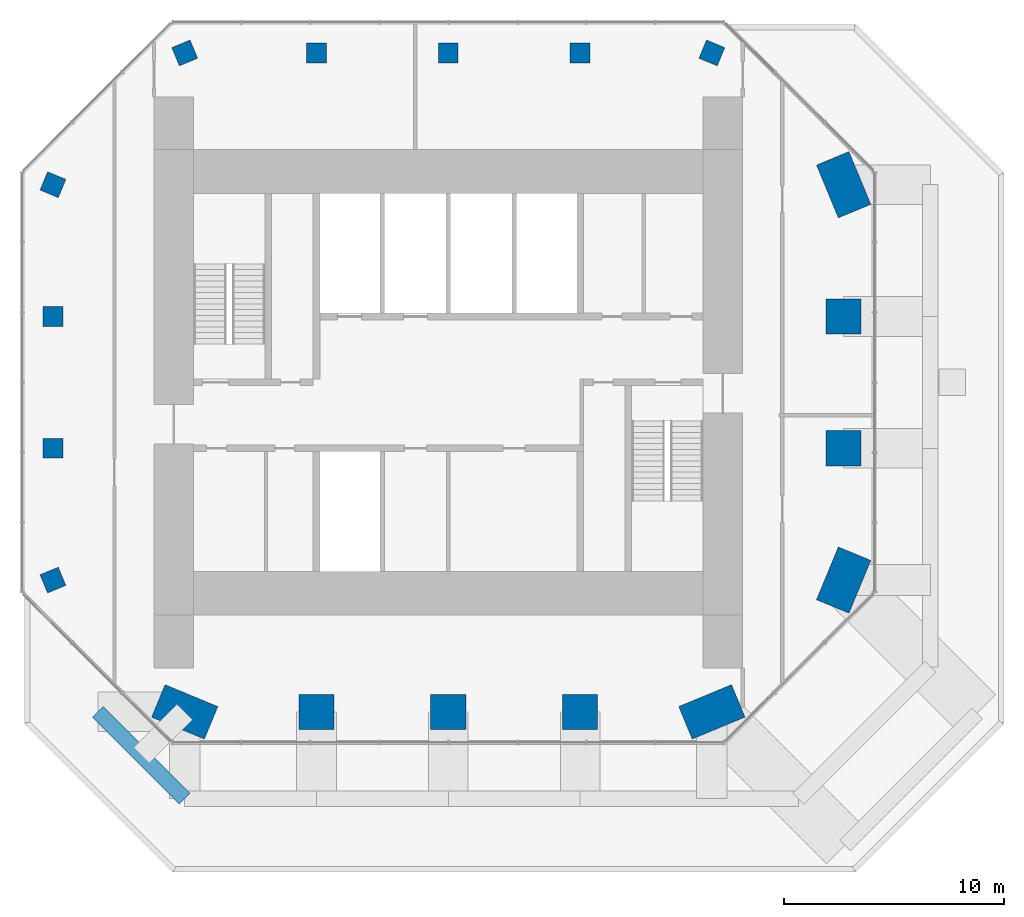
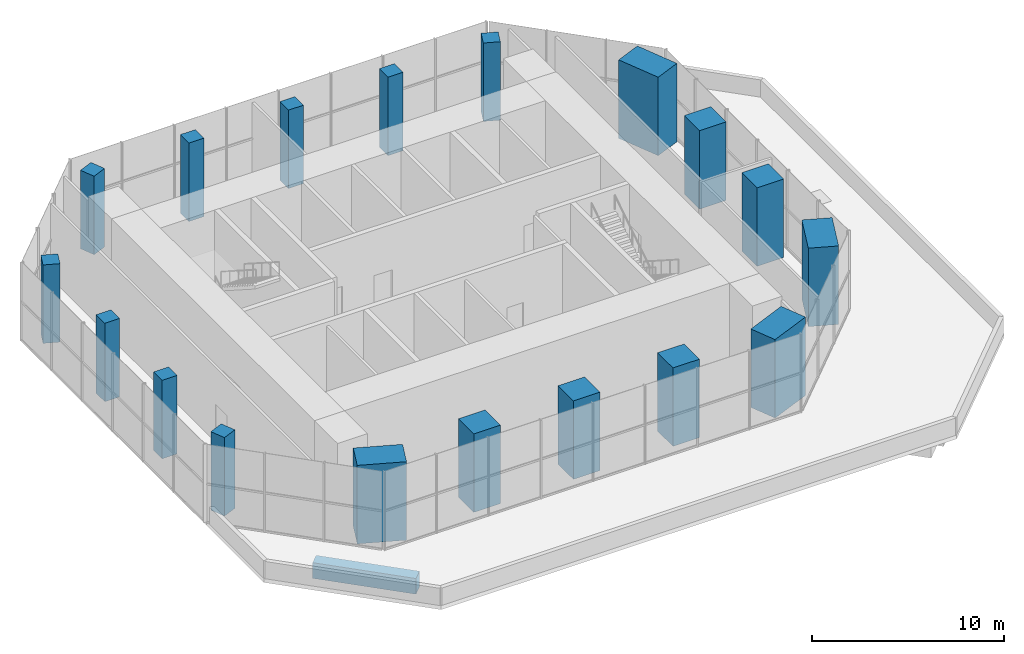
# One storey, part 1 of 9: 18 columns, 1 beam.
"""IFC4 building model written with IfcOpenShell, lengths in metres."""

from ifc_helpers import new_model, si_unit, direction, frame, origin, origin_2d, place, context, subcontext, project, spatial, rectangle, extrude, material, material_profile, profile_set, type_object, element, save


model = new_model("IFC4")

# Units and contexts
model_context = context("Model", 3, precision=1e-05, world=origin(), true_north=direction((0.0, 1.0)))
body_context = subcontext(model_context, "Body", "Model", "MODEL_VIEW")
ifc_project = project(units=[si_unit("LENGTHUNIT", "METRE"), si_unit("AREAUNIT", "SQUARE_METRE"), si_unit("VOLUMEUNIT", "CUBIC_METRE"), si_unit("PLANEANGLEUNIT", "RADIAN"), si_unit("MASSUNIT", "GRAM", prefix="KILO")], contexts=[model_context])

# Site, building, storey
site_placement = place(None, origin())
site = spatial("IfcSite", under=ifc_project, at=site_placement, CompositionType="ELEMENT")
building_placement = place(site_placement, origin())
building = spatial("IfcBuilding", under=site, at=building_placement, Name="Highveld Stack Headquarters", CompositionType="ELEMENT")
storey_placement = place(building_placement, frame((0.0, 0.0, 295.699951171875)))
storey = spatial("IfcBuildingStorey", under=building, at=storey_placement, Name="L73", CompositionType="ELEMENT", Elevation=295.699951171875)

# Columns
ifc_material_1 = material(Name="Concrete C60/75", Category="concrete")
ifc_material_profile_1 = material_profile(ifc_material_1, rectangle(XDim=1.60009765625, YDim=1.60009765625, at=origin_2d()), Name="RC 1600x1600")
ifc_profile_set_1 = profile_set([ifc_material_profile_1], Name="Concrete C60/75")
column_type_1 = type_object("IfcColumnType", Name="COLUMN RC 1600x1600 C60/75", PredefinedType="COLUMN", material=ifc_profile_set_1)
for number, where, z_axis, x_axis, name in (
    (1, (0.0, -12.0, 0.0), (0.0, 0.0, 1.0), (1.0, 0.0, 0.0), "Column 6/C L73"),
    (2, (6.0, -12.0, 0.0), (0.0, 0.0, 1.0), (1.0, 0.0, 0.0), "Column 7/C L73"),
    (3, (12.0, -12.0, 0.0), (0.0, 0.0, 1.0), (1.0, 0.0, 0.0), "Column 8/C L73"),
    (4, (24.0, 0.0, 0.0), (0.0, 0.0, 1.0), (1.0, 0.0, 0.0), "Column 10/E L73"),
    (5, (24.0, 6.0, 0.0), (0.0, 0.0, 1.0), (1.0, 0.0, 0.0), "Column 10/F L73"),
):
    element("IfcColumn", number, at=place(storey_placement, frame(where, z_axis=z_axis, x_axis=x_axis)), inside=storey, type_object=column_type_1, Name=name, PredefinedType="COLUMN", context=body_context, shape_type="SweptSolid", body=[
        extrude(rectangle(XDim=1.60009765625, YDim=1.60009765625, at=origin_2d()), origin(), (0.0, 0.0, 1.0), 5.0),
    ])
ifc_material_2 = material(Name="Concrete C60/75", Category="concrete")
ifc_material_profile_2 = material_profile(ifc_material_2, rectangle(XDim=2.60009765625, YDim=1.60009765625, at=origin_2d()), Name="RC 2600x1600")
ifc_profile_set_2 = profile_set([ifc_material_profile_2], Name="Concrete C60/75")
column_type_2 = type_object("IfcColumnType", Name="COLUMN RC 2600x1600 C60/75", PredefinedType="COLUMN", material=ifc_profile_set_2)
for number, where, z_axis, x_axis, name in (
    (6, (-6.0, -12.0, 0.0), (0.0, 0.0, 1.0), (-0.923879532511, 0.382683432365, 0.0), "Column 5/C L73"),
    (7, (18.0, -12.0, 0.0), (0.0, 0.0, 1.0), (-0.923879532511, -0.382683432365, 0.0), "Column 9/C L73"),
    (8, (24.0, -6.0, 0.0), (0.0, 0.0, 1.0), (-0.382683432365, -0.923879532511, 0.0), "Column 10/D L73"),
    (9, (24.0, 12.0, 0.0), (0.0, 0.0, 1.0), (0.382683432365, -0.923879532511, 0.0), "Column 10/G L73"),
):
    element("IfcColumn", number, at=place(storey_placement, frame(where, z_axis=z_axis, x_axis=x_axis)), inside=storey, type_object=column_type_2, Name=name, PredefinedType="COLUMN", context=body_context, shape_type="SweptSolid", body=[
        extrude(rectangle(XDim=2.60009765625, YDim=1.60009765625, at=origin_2d()), origin(), (0.0, 0.0, 1.0), 5.0),
    ])
ifc_material_3 = material(Name="Concrete C60/75", Category="concrete")
ifc_material_profile_3 = material_profile(ifc_material_3, rectangle(XDim=0.89990234375, YDim=0.89990234375, at=origin_2d()), Name="RC 900x900")
ifc_profile_set_3 = profile_set([ifc_material_profile_3], Name="Concrete C60/75")
column_type_3 = type_object("IfcColumnType", Name="COLUMN RC 900x900 C60/75", PredefinedType="COLUMN", material=ifc_profile_set_3)
for number, where, z_axis, x_axis, name in (
    (10, (-12.0, -6.0, 0.0), (0.0, 0.0, 1.0), (-0.382683432365, 0.923879532511, 0.0), "Column 4/D L73"),
    (11, (-12.0, 0.0, 0.0), (0.0, 0.0, 1.0), (0.0, 1.0, 0.0), "Column 4/E L73"),
    (12, (-12.0, 6.0, 0.0), (0.0, 0.0, 1.0), (0.0, 1.0, 0.0), "Column 4/F L73"),
    (13, (-12.0, 12.0, 0.0), (0.0, 0.0, 1.0), (0.382683432365, 0.923879532511, 0.0), "Column 4/G L73"),
    (14, (-6.0, 18.0, 0.0), (0.0, 0.0, 1.0), (0.923879532511, 0.382683432365, 0.0), "Column 5/H L73"),
    (15, (0.0, 18.0, 0.0), (0.0, 0.0, 1.0), (1.0, 0.0, 0.0), "Column 6/H L73"),
    (16, (6.0, 18.0, 0.0), (0.0, 0.0, 1.0), (1.0, 0.0, 0.0), "Column 7/H L73"),
    (17, (12.0, 18.0, 0.0), (0.0, 0.0, 1.0), (1.0, 0.0, 0.0), "Column 8/H L73"),
    (18, (18.0, 18.0, 0.0), (0.0, 0.0, 1.0), (0.923879532511, -0.382683432365, 0.0), "Column 9/H L73"),
):
    element("IfcColumn", number, at=place(storey_placement, frame(where, z_axis=z_axis, x_axis=x_axis)), inside=storey, type_object=column_type_3, Name=name, PredefinedType="COLUMN", context=body_context, shape_type="SweptSolid", body=[
        extrude(rectangle(XDim=0.89990234375, YDim=0.89990234375, at=origin_2d()), origin(), (0.0, 0.0, 1.0), 5.0),
    ])

# Beam
ifc_material_4 = material(Name="Concrete C60/75", Category="concrete")
ifc_material_profile_4 = material_profile(ifc_material_4, rectangle(XDim=0.699951171875, YDim=1.0, at=origin_2d()), Name="RC 700x1000")
ifc_profile_set_4 = profile_set([ifc_material_profile_4], Name="Concrete C60/75")
beam_type = type_object("IfcBeamType", Name="RIB TIP BEAM RC 700x1000", PredefinedType="SPANDREL", material=ifc_profile_set_4)
beam_placement = place(storey_placement, frame((-9.949951171875, -12.0, -0.75), z_axis=(0.707106781187, -0.707106781187, 0.0), x_axis=(0.707106781187, 0.707106781187, 0.0)))
element("IfcBeam", 19, at=beam_placement, inside=storey, type_object=beam_type, Name="Rib tip beam 5/C corner L73", PredefinedType="SPANDREL", context=body_context, shape_type="SweptSolid", body=[
    extrude(rectangle(XDim=0.699951171875, YDim=1.0, at=origin_2d()), origin(), (0.0, 0.0, 1.0), 5.586181640625),
])

save(model, "model.ifc")
